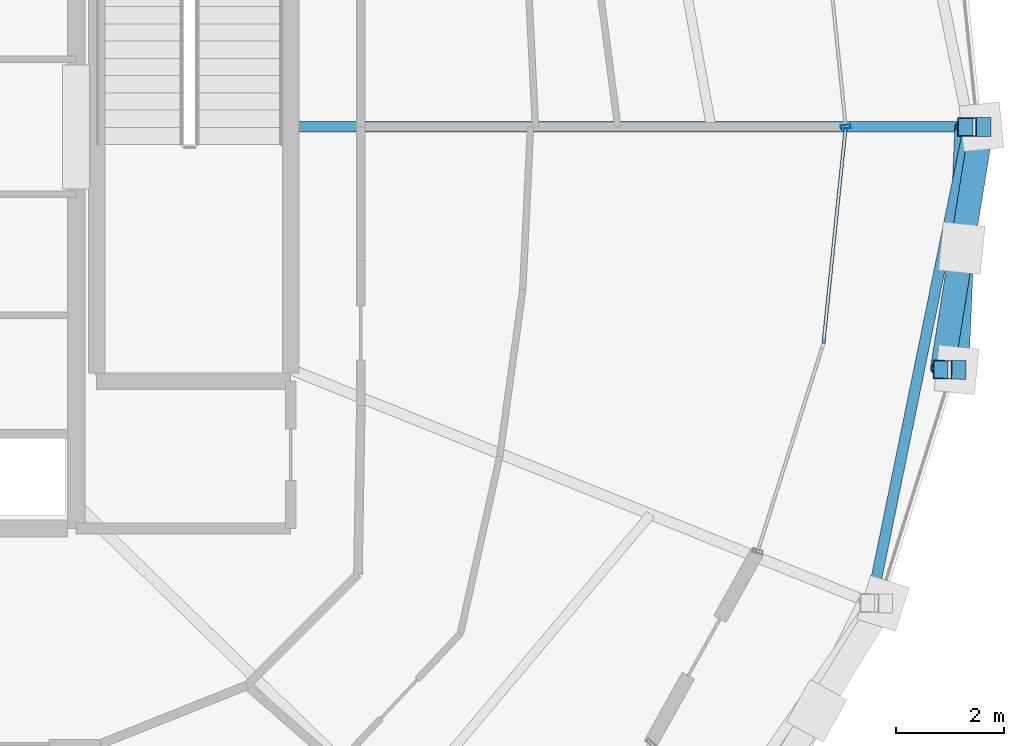
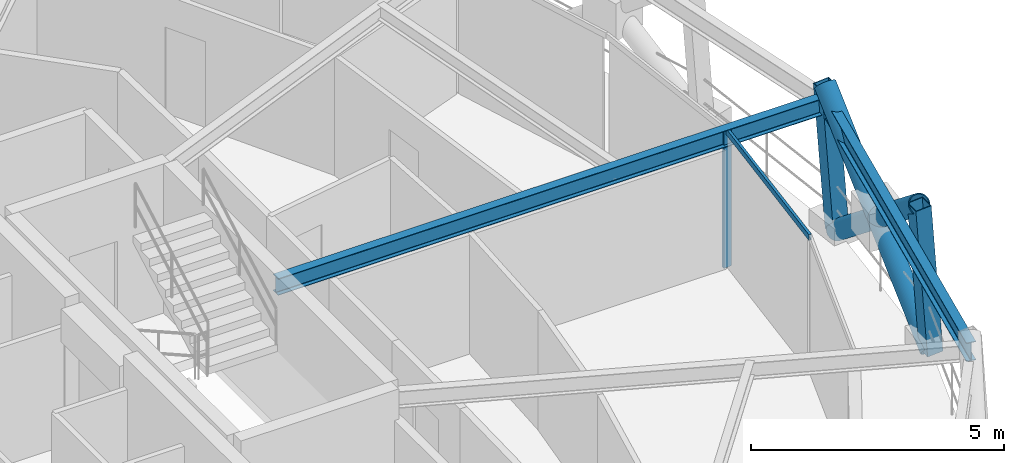
# One storey, part 6 of 17: 7 members, 2 beams, 1 element without a shape of its own.
"""IFC4 building model written with IfcOpenShell, lengths in metres."""

from ifc_helpers import new_model, si_unit, direction, frame, origin, origin_2d, place, context, subcontext, project, spatial, hollow_rectangle, hollow_circle, i_section, extrude, material, layer, layer_set, material_profile, profile_set, type_object, element, aggregate, save


model = new_model("IFC4")

# Units and contexts
model_context = context("Model", 3, precision=1e-05, world=origin(), true_north=direction((0.0, 1.0)))
body_context = subcontext(model_context, "Body", "Model", "MODEL_VIEW")
ifc_project = project(units=[si_unit("LENGTHUNIT", "METRE"), si_unit("AREAUNIT", "SQUARE_METRE"), si_unit("VOLUMEUNIT", "CUBIC_METRE"), si_unit("PLANEANGLEUNIT", "RADIAN"), si_unit("MASSUNIT", "GRAM", prefix="KILO")], contexts=[model_context])

# Site, building, storey
site_placement = place(None, origin())
site = spatial("IfcSite", under=ifc_project, at=site_placement, CompositionType="ELEMENT")
building_placement = place(site_placement, origin())
building = spatial("IfcBuilding", under=site, at=building_placement, Name="Veldorina Hangang Commons", CompositionType="ELEMENT")
storey_placement = place(building_placement, frame((0.0, 0.0, 236.39990234375)))
storey = spatial("IfcBuildingStorey", under=building, at=storey_placement, Name="L61", CompositionType="ELEMENT", Elevation=236.39990234375)

# Beams
ifc_material_1 = material(Name="Steel SM355-TMC", Category="steel")
ifc_material_profile_1 = material_profile(ifc_material_1, i_section(OverallWidth=0.199951171875, OverallDepth=0.39990234375, WebThickness=0.008056640625, FlangeThickness=0.012939453125, FilletRadius=0.012939453125, at=origin_2d()), Name="H-400x200x8x13")
ifc_profile_set_1 = profile_set([ifc_material_profile_1], Name="Steel SM355-TMC")
beam_type_1 = type_object("IfcBeamType", Name="BM-FG400", PredefinedType="BEAM", material=ifc_profile_set_1)
beam_1_placement = place(storey_placement, frame((43.179931640625, 24.0, 3.16015625), z_axis=(1.0, 0.0, 0.0), x_axis=(0.0, 1.0, 0.0)))
element("IfcBeam", 1, at=beam_1_placement, inside=storey, type_object=beam_type_1, Name="L61 radial floor girder 01", PredefinedType="BEAM", context=body_context, shape_type="SweptSolid", body=[
    extrude(i_section(OverallWidth=0.199951171875, OverallDepth=0.39990234375, WebThickness=0.008056640625, FlangeThickness=0.012939453125, FilletRadius=0.012939453125, at=origin_2d()), origin(), (0.0, 0.0, 1.0), 12.58056640625),
])
ifc_material_profile_2 = material_profile(ifc_material_1, i_section(OverallWidth=0.199951171875, OverallDepth=0.449951171875, WebThickness=0.009033203125, FlangeThickness=0.013916015625, FilletRadius=0.01611328125, at=origin_2d()), Name="H-450x200x9x14")
ifc_profile_set_2 = profile_set([ifc_material_profile_2], Name="Steel SM355-TMC")
beam_type_2 = type_object("IfcBeamType", Name="BM-RB450", PredefinedType="BEAM", material=ifc_profile_set_2)
beam_2_placement = place(storey_placement, frame((53.95166015625, 15.16162109375, 3.135009765625), z_axis=(0.200501316048, 0.979693432796, 0.0), x_axis=(-0.979693432796, 0.200501316048, 0.0)))
element("IfcBeam", 2, at=beam_2_placement, inside=storey, type_object=beam_type_2, Name="L61 perimeter hoop ring beam 30", PredefinedType="BEAM", context=body_context, shape_type="SweptSolid", body=[
    extrude(i_section(OverallWidth=0.199951171875, OverallDepth=0.449951171875, WebThickness=0.009033203125, FlangeThickness=0.013916015625, FilletRadius=0.01611328125, at=origin_2d()), origin(), (0.0, 0.0, 1.0), 9.021484375),
])

# Curtain wall, members
ifc_material_2 = material(Name="Glass Low-E Selective", Category="glass")
ifc_layer = layer(ifc_material_2, 0.179931640625)
ifc_layer_set = layer_set([ifc_layer], Name="Glass Low-E Selective")
curtain_wall_type = type_object("IfcCurtainWallType", Name="CW-SYS-Z3", PredefinedType="NOTDEFINED", material=ifc_layer_set)
curtain_wall_placement = place(storey_placement, origin())
curtain_wall = element("IfcCurtainWall", 3, at=curtain_wall_placement, inside=storey, type_object=curtain_wall_type, Name="L61 unitised curtain wall CW-L61-R2", PredefinedType="NOTDEFINED")
ifc_material_3 = material(Name="Aluminium Anodized AA6063-T6", Category="aluminium")
ifc_material_profile_3 = material_profile(ifc_material_3, hollow_rectangle(XDim=0.070068359375, YDim=0.179931640625, WallThickness=0.00390625, at=origin_2d()), Name="ALU-RHS-180x70x4")
ifc_profile_set_3 = profile_set([ifc_material_profile_3], Name="Aluminium Anodized AA6063-T6")
member_type_1 = type_object("IfcMemberType", Name="CW-MUL-180", PredefinedType="MULLION", material=ifc_profile_set_3)
member_1_placement = place(storey_placement, frame((53.476318359375, 24.0, 0.0), z_axis=(0.0, 0.0, 1.0), x_axis=(-0.102219612074, 0.994761856379, 0.0)))
member_1 = element("IfcMember", 4, at=member_1_placement, type_object=member_type_1, Name="CW-L61-R2 vertical mullion 2", PredefinedType="MULLION", context=body_context, shape_type="SweptSolid", body=[
    extrude(hollow_rectangle(XDim=0.070068359375, YDim=0.179931640625, WallThickness=0.00390625, at=origin_2d()), origin(), (0.0, 0.0, 1.0), 3.320068359375),
])
ifc_material_profile_4 = material_profile(ifc_material_3, hollow_rectangle(XDim=0.06005859375, YDim=0.139892578125, WallThickness=0.00341796875, at=origin_2d()), Name="ALU-RHS-140x60x3.5")
ifc_profile_set_4 = profile_set([ifc_material_profile_4], Name="Aluminium Anodized AA6063-T6")
member_type_2 = type_object("IfcMemberType", Name="CW-TRN-140", PredefinedType="USERDEFINED", material=ifc_profile_set_4)
member_2_placement = place(storey_placement, frame((53.063720703125, 19.98388671875, 3.280029296875), z_axis=(0.1021976505, 0.994764112859, 0.0), x_axis=(-0.994764112859, 0.1021976505, 0.0)))
member_2 = element("IfcMember", 5, at=member_2_placement, type_object=member_type_2, Name="CW-L61-R2 facet 2 transom 1", ObjectType="TRANSOM", PredefinedType="USERDEFINED", context=body_context, shape_type="SweptSolid", body=[
    extrude(hollow_rectangle(XDim=0.06005859375, YDim=0.139892578125, WallThickness=0.00341796875, at=origin_2d()), origin(), (0.0, 0.0, 1.0), 4.037353515625),
])
aggregate(curtain_wall, [member_1, member_2])

# Members
ifc_material_profile_5 = material_profile(ifc_material_1, hollow_circle(Radius=0.22509765625, WallThickness=0.02197265625, at=origin_2d()), Name="CHS-450x22")
ifc_profile_set_5 = profile_set([ifc_material_profile_5], Name="Steel SM355-TMC")
member_type_3 = type_object("IfcMemberType", Name="DG-CHS450", PredefinedType="BRACE", material=ifc_profile_set_5)
member_3_placement = place(storey_placement, frame((55.53515625, 19.4921875, 0.0), z_axis=(0.032949054302, 0.780964491184, 0.623705718533), x_axis=(-0.999111179584, 0.042152708454, 0.0)))
element("IfcMember", 6, at=member_3_placement, inside=storey, type_object=member_type_3, Name="L61 continuous perimeter diagrid brace 31", PredefinedType="BRACE", context=body_context, shape_type="SweptSolid", body=[
    extrude(hollow_circle(Radius=0.22509765625, WallThickness=0.02197265625, at=origin_2d()), origin(), (0.0, 0.0, 1.0), 5.772216796875),
])
member_4_placement = place(storey_placement, frame((55.996337890625, 24.0, 0.0), z_axis=(-0.125870064059, -0.77495318292, 0.619357966976), x_axis=(0.987064796349, -0.160321825737, 0.0)))
element("IfcMember", 7, at=member_4_placement, inside=storey, type_object=member_type_3, Name="L61 split perimeter diagrid lower brace 00", PredefinedType="BRACE", context=body_context, shape_type="SweptSolid", body=[
    extrude(hollow_circle(Radius=0.22509765625, WallThickness=0.02197265625, at=origin_2d()), origin(), (0.0, 0.0, 1.0), 2.907470703125),
])
member_5_placement = place(storey_placement, frame((55.63037109375, 21.746826171875, 1.80078125), z_axis=(-0.124205185148, -0.775231957369, 0.61934520605), x_axis=(0.987407213284, -0.15819922615, 0.0)))
element("IfcMember", 8, at=member_5_placement, inside=storey, type_object=member_type_3, Name="L61 split perimeter diagrid upper brace 00", PredefinedType="BRACE", context=body_context, shape_type="SweptSolid", body=[
    extrude(hollow_circle(Radius=0.22509765625, WallThickness=0.02197265625, at=origin_2d()), origin(), (0.0, 0.0, 1.0), 2.9052734375),
])
ifc_material_profile_6 = material_profile(ifc_material_1, hollow_rectangle(XDim=0.35009765625, YDim=0.35009765625, WallThickness=0.01611328125, at=origin_2d()), Name="SHS-350x350x16")
ifc_profile_set_6 = profile_set([ifc_material_profile_6], Name="Steel SM355-TMC")
member_type_4 = type_object("IfcMemberType", Name="STR-SHS350", PredefinedType="STRUT", material=ifc_profile_set_6)
member_6_placement = place(storey_placement, frame((55.996337890625, 24.0, 0.0), z_axis=(-0.075062289438, 0.0, 0.9971788469), x_axis=(0.0, -1.0, 0.0)))
element("IfcMember", 9, at=member_6_placement, inside=storey, type_object=member_type_4, Name="L61 perimeter ring node post 00", PredefinedType="STRUT", context=body_context, shape_type="SweptSolid", body=[
    extrude(hollow_rectangle(XDim=0.35009765625, YDim=0.35009765625, WallThickness=0.01611328125, at=origin_2d()), origin(), (0.0, 0.0, 1.0), 3.6103515625),
])
member_7_placement = place(storey_placement, frame((55.53515625, 19.4921875, 0.0), z_axis=(-0.073582687686, 0.000676311468, 0.99728889028), x_axis=(-0.00919078827, -0.999957763814, 0.0)))
element("IfcMember", 10, at=member_7_placement, inside=storey, type_object=member_type_4, Name="L61 perimeter ring node post 31", PredefinedType="STRUT", context=body_context, shape_type="SweptSolid", body=[
    extrude(hollow_rectangle(XDim=0.35009765625, YDim=0.35009765625, WallThickness=0.01611328125, at=origin_2d()), origin(), (0.0, 0.0, 1.0), 3.60986328125),
])

save(model, "model.ifc")
